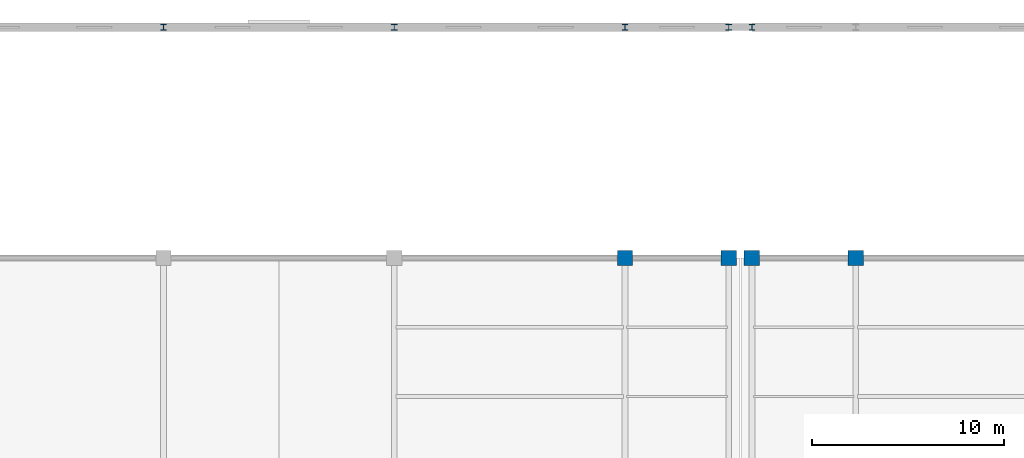
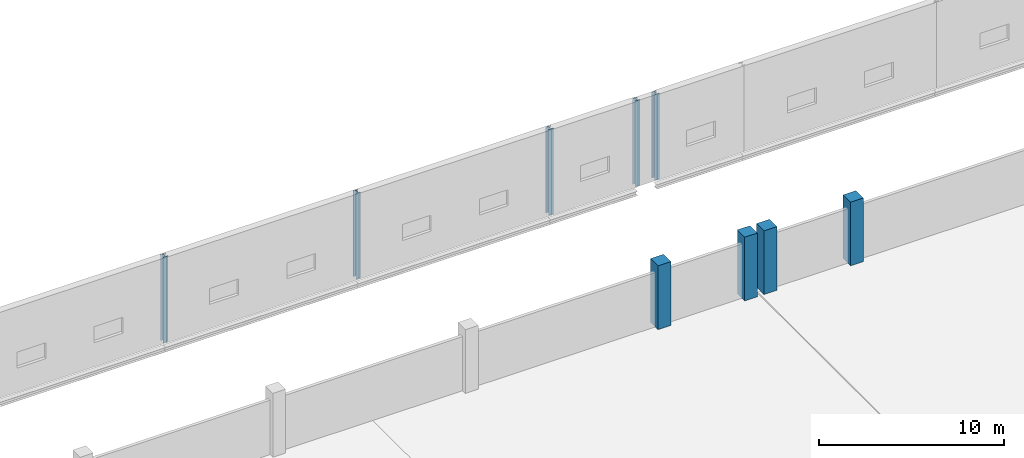
# One storey, part 23 of 147: 9 columns.
"""IFC4 building model written with IfcOpenShell, lengths in metres."""

from ifc_helpers import new_model, si_unit, direction, frame, origin, origin_2d, place, context, subcontext, project, spatial, rectangle, i_section, extrude, material, material_profile, profile_set, type_object, element, save


model = new_model("IFC4")

# Units and contexts
model_context = context("Model", 3, precision=1e-05, world=origin(), true_north=direction((0.0, 1.0)))
body_context = subcontext(model_context, "Body", "Model", "MODEL_VIEW")
ifc_project = project(units=[si_unit("LENGTHUNIT", "METRE"), si_unit("AREAUNIT", "SQUARE_METRE"), si_unit("VOLUMEUNIT", "CUBIC_METRE"), si_unit("PLANEANGLEUNIT", "RADIAN"), si_unit("MASSUNIT", "GRAM", prefix="KILO")], contexts=[model_context])

# Site, building, storey
site_placement = place(None, origin())
site = spatial("IfcSite", under=ifc_project, at=site_placement, CompositionType="ELEMENT")
building_placement = place(site_placement, origin())
building = spatial("IfcBuilding", under=site, at=building_placement, Name="Zilviju Railside Exhibition Hall", CompositionType="ELEMENT")
storey_placement = place(building_placement, frame((0.0, 0.0, 8.39990234375)))
storey = spatial("IfcBuildingStorey", under=building, at=storey_placement, Name="L03", CompositionType="ELEMENT", Elevation=8.39990234375)

# Columns
ifc_material_1 = material(Name="Concrete C40/50", Category="concrete")
ifc_material_profile_1 = material_profile(ifc_material_1, rectangle(XDim=0.800048828125, YDim=0.800048828125, at=origin_2d()), Name="RC COL 800x800")
ifc_profile_set_1 = profile_set([ifc_material_profile_1], Name="Concrete C40/50")
column_type_1 = type_object("IfcColumnType", Name="COL-RC-800", PredefinedType="COLUMN", material=ifc_profile_set_1)
for number, where, z_axis, x_axis, name in (
    (1, (120.0, 138.0, 0.0), (0.0, 0.0, 1.0), (1.0, 0.0, 0.0), "Structural Column L03 (120.0, 138.0)"),
    (2, (125.39990234375, 138.0, 0.0), (0.0, 0.0, 1.0), (1.0, 0.0, 0.0), "Structural Column L03 (125.4, 138.0)"),
    (3, (126.60009765625, 138.0, 0.0), (0.0, 0.0, 1.0), (1.0, 0.0, 0.0), "Structural Column L03 (126.6, 138.0)"),
    (4, (132.0, 138.0, 0.0), (0.0, 0.0, 1.0), (1.0, 0.0, 0.0), "Structural Column L03 (132.0, 138.0)"),
):
    element("IfcColumn", number, at=place(storey_placement, frame(where, z_axis=z_axis, x_axis=x_axis)), inside=storey, type_object=column_type_1, Name=name, PredefinedType="COLUMN", context=body_context, shape_type="SweptSolid", body=[
        extrude(rectangle(XDim=0.800048828125, YDim=0.800048828125, at=origin_2d()), origin(), (0.0, 0.0, 1.0), 4.2001953125),
    ])
ifc_material_2 = material(Name="Steel S355J2", Category="steel")
ifc_material_profile_2 = material_profile(ifc_material_2, i_section(OverallWidth=0.300048828125, OverallDepth=0.300048828125, WebThickness=0.010986328125, FlangeThickness=0.01904296875, at=origin_2d()), Name="HEB 300")
ifc_profile_set_2 = profile_set([ifc_material_profile_2], Name="Steel S355J2")
column_type_2 = type_object("IfcColumnType", Name="COL-ST-HEB300", PredefinedType="COLUMN", material=ifc_profile_set_2)
for number, where, z_axis, x_axis, name in (
    (5, (96.0, 150.0, 0.0), (0.0, 0.0, 1.0), (1.0, 0.0, 0.0), "Structural Column L03 (96.0, 150.0)"),
    (6, (108.0, 150.0, 0.0), (0.0, 0.0, 1.0), (1.0, 0.0, 0.0), "Structural Column L03 (108.0, 150.0)"),
    (7, (120.0, 150.0, 0.0), (0.0, 0.0, 1.0), (1.0, 0.0, 0.0), "Structural Column L03 (120.0, 150.0)"),
    (8, (125.39990234375, 150.0, 0.0), (0.0, 0.0, 1.0), (1.0, 0.0, 0.0), "Structural Column L03 (125.4, 150.0)"),
    (9, (126.60009765625, 150.0, 0.0), (0.0, 0.0, 1.0), (1.0, 0.0, 0.0), "Structural Column L03 (126.6, 150.0)"),
):
    element("IfcColumn", number, at=place(storey_placement, frame(where, z_axis=z_axis, x_axis=x_axis)), inside=storey, type_object=column_type_2, Name=name, PredefinedType="COLUMN", context=body_context, shape_type="SweptSolid", body=[
        extrude(i_section(OverallWidth=0.300048828125, OverallDepth=0.300048828125, WebThickness=0.010986328125, FlangeThickness=0.01904296875, at=origin_2d()), origin(), (0.0, 0.0, 1.0), 5.650146484375),
    ])

save(model, "model.ifc")
